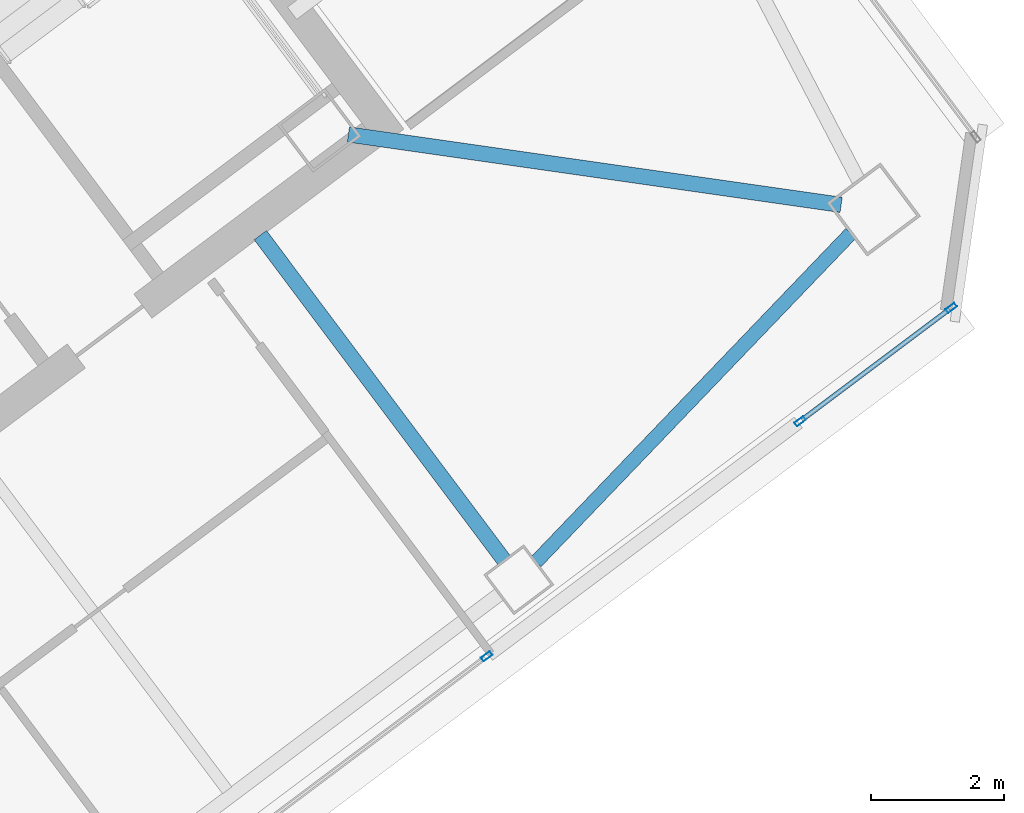
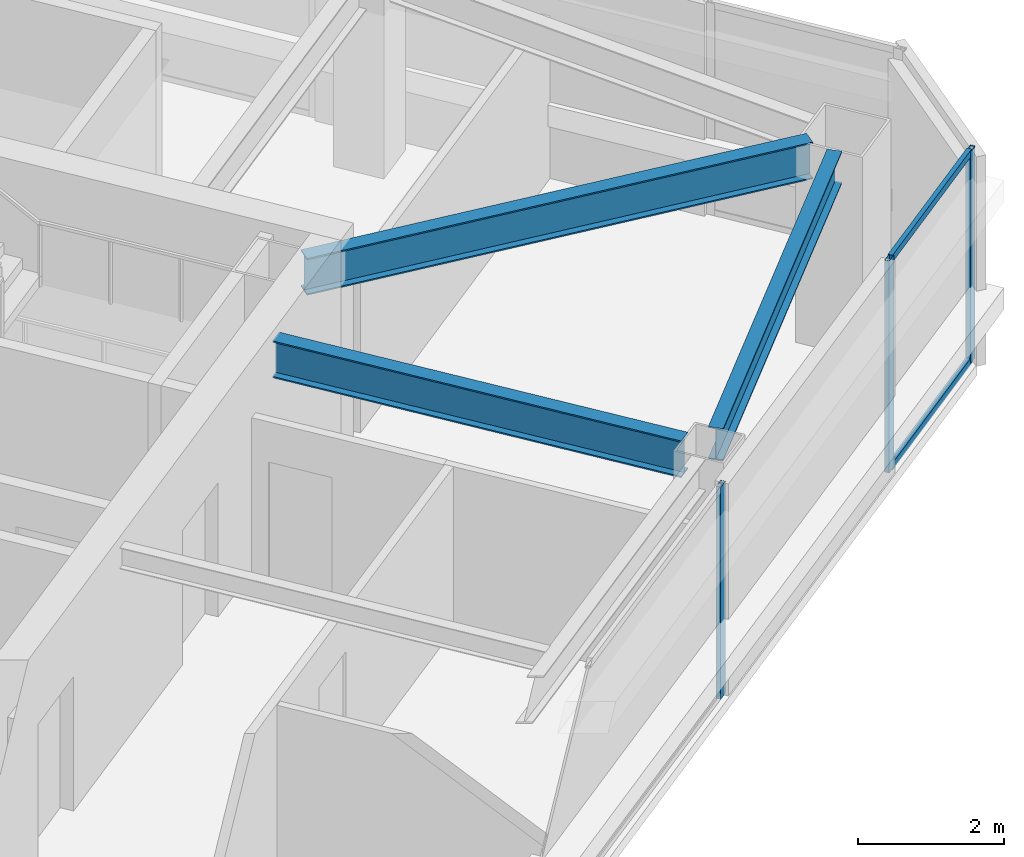
# One storey, part 21 of 36: 5 members, 3 beams, 2 elements without a shape of their own.
"""IFC4 building model written with IfcOpenShell, lengths in metres."""

from ifc_helpers import new_model, si_unit, direction, frame, origin, origin_2d, place, context, subcontext, project, spatial, hollow_rectangle, i_section, extrude, material, material_profile, profile_set, type_object, element, aggregate, save


model = new_model("IFC4")

# Units and contexts
model_context = context("Model", 3, precision=1e-05, world=origin(), true_north=direction((0.0, 1.0)))
body_context = subcontext(model_context, "Body", "Model", "MODEL_VIEW")
ifc_project = project(units=[si_unit("LENGTHUNIT", "METRE"), si_unit("AREAUNIT", "SQUARE_METRE"), si_unit("VOLUMEUNIT", "CUBIC_METRE"), si_unit("PLANEANGLEUNIT", "RADIAN"), si_unit("MASSUNIT", "GRAM", prefix="KILO")], contexts=[model_context])

# Site, building, storey
site_placement = place(None, origin())
site = spatial("IfcSite", under=ifc_project, at=site_placement, CompositionType="ELEMENT")
building_placement = place(site_placement, origin())
building = spatial("IfcBuilding", under=site, at=building_placement, Name="Tashvorn Skyway Center", CompositionType="ELEMENT")
storey_placement = place(building_placement, frame((0.0, 0.0, 236.14990234375)))
storey = spatial("IfcBuildingStorey", under=building, at=storey_placement, Name="L64", CompositionType="ELEMENT", Elevation=236.14990234375)

# Beams
ifc_material_1 = material(Name="Steel ASTM A992 Grade 50", Category="steel")
ifc_material_profile_1 = material_profile(ifc_material_1, i_section(OverallWidth=0.22998046875, OverallDepth=0.616943359375, WebThickness=0.01318359375, FlangeThickness=0.022216796875, at=origin_2d()), Name="W24X94")
ifc_profile_set_1 = profile_set([ifc_material_profile_1], Name="Steel ASTM A992 Grade 50")
beam_type_1 = type_object("IfcBeamType", Name="BM-BEAM-W24X94", PredefinedType="BEAM", material=ifc_profile_set_1)
beam_1_placement = place(storey_placement, frame((131.7099609375, 29.469970703125, 3.0615234375), z_axis=(-0.989948187102, 0.141430501853, 0.0), x_axis=(-0.141430501853, -0.989948187102, 0.0)))
element("IfcBeam", 1, at=beam_1_placement, inside=storey, type_object=beam_type_1, Name="Tower 2 L64 Primary Floor Girder MC-SE", PredefinedType="BEAM", context=body_context, shape_type="SweptSolid", body=[
    extrude(i_section(OverallWidth=0.22998046875, OverallDepth=0.616943359375, WebThickness=0.01318359375, FlangeThickness=0.022216796875, at=origin_2d()), origin(), (0.0, 0.0, 1.0), 7.474609375),
])
beam_2_placement = place(storey_placement, frame((126.64794921875, 24.135986328125, 3.0615234375), z_axis=(-0.599980788915, 0.800014407953, 0.0), x_axis=(-0.800014407953, -0.599980788915, 0.0)))
element("IfcBeam", 2, at=beam_2_placement, inside=storey, type_object=beam_type_1, Name="Tower 2 L64 Primary Floor Girder FC-S2", PredefinedType="BEAM", context=body_context, shape_type="SweptSolid", body=[
    extrude(i_section(OverallWidth=0.22998046875, OverallDepth=0.616943359375, WebThickness=0.01318359375, FlangeThickness=0.022216796875, at=origin_2d()), origin(), (0.0, 0.0, 1.0), 6.10009765625),
])
ifc_material_profile_2 = material_profile(ifc_material_1, i_section(OverallWidth=0.2109375, OverallDepth=0.5390625, WebThickness=0.01171875, FlangeThickness=0.018798828125, at=origin_2d()), Name="W21X73")
ifc_profile_set_2 = profile_set([ifc_material_profile_2], Name="Steel ASTM A992 Grade 50")
beam_type_2 = type_object("IfcBeamType", Name="BM-SPANDREL-W21X73", PredefinedType="SPANDREL", material=ifc_profile_set_2)
beam_3_placement = place(storey_placement, frame((127.1259765625, 24.107177734375, 3.1005859375), z_axis=(0.69202323926, 0.72187522213, 0.0), x_axis=(-0.72187522213, 0.69202323926, 0.0)))
element("IfcBeam", 3, at=beam_3_placement, inside=storey, type_object=beam_type_2, Name="Tower 2 L64 Spandrel Beam 03", PredefinedType="SPANDREL", context=body_context, shape_type="SweptSolid", body=[
    extrude(i_section(OverallWidth=0.2109375, OverallDepth=0.5390625, WebThickness=0.01171875, FlangeThickness=0.018798828125, at=origin_2d()), origin(), (0.0, 0.0, 1.0), 6.837158203125),
])

# Curtain wall, members
ifc_material_2 = material(Name="Thermally broken bronze-anodized aluminium 6063-T6", Category="aluminium")
curtain_wall_type = type_object("IfcCurtainWallType", Name="CW-CW-Z5", PredefinedType="NOTDEFINED", material=ifc_material_2)
curtain_wall_1_placement = place(storey_placement, origin())
curtain_wall_1 = element("IfcCurtainWall", 4, at=curtain_wall_1_placement, inside=storey, type_object=curtain_wall_type, Name="Tower 2 L64 South Unitised Curtain Wall Glazing Group 1", PredefinedType="NOTDEFINED")
ifc_material_profile_3 = material_profile(ifc_material_2, hollow_rectangle(XDim=0.070068359375, YDim=0.1650390625, WallThickness=0.00390625, at=origin_2d()), Name="ALU-MULL-70x165")
ifc_profile_set_3 = profile_set([ifc_material_profile_3], Name="Thermally broken bronze-anodized aluminium 6063-T6")
member_type_1 = type_object("IfcMemberType", Name="CWM-CW-Z5", PredefinedType="MULLION", material=ifc_profile_set_3)
member_1_placement = place(storey_placement, frame((133.364013671875, 27.923095703125, 0.0), z_axis=(0.0, 0.0, 1.0), x_axis=(0.600005504617, -0.799995871508, 0.0)))
member_1 = element("IfcMember", 5, at=member_1_placement, type_object=member_type_1, Name="CW-Z5 mullion 1", PredefinedType="MULLION", context=body_context, shape_type="SweptSolid", body=[
    extrude(hollow_rectangle(XDim=0.070068359375, YDim=0.1650390625, WallThickness=0.00390625, at=origin_2d()), origin(), (0.0, 0.0, 1.0), 3.550048828125),
])
member_2_placement = place(storey_placement, frame((131.0947265625, 26.220947265625, 0.0), z_axis=(0.0, 0.0, 1.0), x_axis=(0.600005504617, -0.799995871508, 0.0)))
member_2 = element("IfcMember", 6, at=member_2_placement, type_object=member_type_1, Name="CW-Z5 mullion 2", PredefinedType="MULLION", context=body_context, shape_type="SweptSolid", body=[
    extrude(hollow_rectangle(XDim=0.070068359375, YDim=0.1650390625, WallThickness=0.00390625, at=origin_2d()), origin(), (0.0, 0.0, 1.0), 3.550048828125),
])

# Curtain wall, member
curtain_wall_2_placement = place(storey_placement, origin())
curtain_wall_2 = element("IfcCurtainWall", 7, at=curtain_wall_2_placement, inside=storey, type_object=curtain_wall_type, Name="Tower 2 L64 South Unitised Curtain Wall Glazing Group 2", PredefinedType="NOTDEFINED")
member_3_placement = place(storey_placement, frame((126.387939453125, 22.69091796875, 0.0), z_axis=(0.0, 0.0, 1.0), x_axis=(0.600000000002, -0.799999999998, 0.0)))
member_3 = element("IfcMember", 8, at=member_3_placement, type_object=member_type_1, Name="CW-Z5 mullion 1", PredefinedType="MULLION", context=body_context, shape_type="SweptSolid", body=[
    extrude(hollow_rectangle(XDim=0.070068359375, YDim=0.1650390625, WallThickness=0.00390625, at=origin_2d()), origin(), (0.0, 0.0, 1.0), 3.550048828125),
])
aggregate(curtain_wall_2, [member_3])

# Member
ifc_material_profile_4 = material_profile(ifc_material_2, hollow_rectangle(XDim=0.070068359375, YDim=0.114990234375, WallThickness=0.00390625, at=origin_2d()), Name="ALU-TRAN-70x115")
ifc_profile_set_4 = profile_set([ifc_material_profile_4], Name="Thermally broken bronze-anodized aluminium 6063-T6")
member_type_2 = type_object("IfcMemberType", Name="CWT-CW-Z5", PredefinedType="USERDEFINED", material=ifc_profile_set_4)
member_4_placement = place(storey_placement, frame((133.3359375, 27.902099609375, 0.03515625), z_axis=(-0.79994704948, -0.600070594204, 0.0), x_axis=(0.600070594204, -0.79994704948, 0.0)))
member_4 = element("IfcMember", 9, at=member_4_placement, type_object=member_type_2, Name="CW-Z5 transom 1.1", ObjectType="TRANSOM", PredefinedType="USERDEFINED", context=body_context, shape_type="SweptSolid", body=[
    extrude(hollow_rectangle(XDim=0.070068359375, YDim=0.114990234375, WallThickness=0.00390625, at=origin_2d()), origin(), (0.0, 0.0, 1.0), 2.7666015625),
])

member_5_placement = place(storey_placement, frame((133.3359375, 27.902099609375, 3.51513671875), z_axis=(-0.79994704948, -0.600070594204, 0.0), x_axis=(0.600070594204, -0.79994704948, 0.0)))
member_5 = element("IfcMember", 10, at=member_5_placement, type_object=member_type_2, Name="CW-Z5 transom 1.2", ObjectType="TRANSOM", PredefinedType="USERDEFINED", context=body_context, shape_type="SweptSolid", body=[
    extrude(hollow_rectangle(XDim=0.070068359375, YDim=0.114990234375, WallThickness=0.00390625, at=origin_2d()), origin(), (0.0, 0.0, 1.0), 2.7666015625),
])

aggregate(curtain_wall_1, [member_1, member_2, member_4, member_5])

save(model, "model.ifc")
